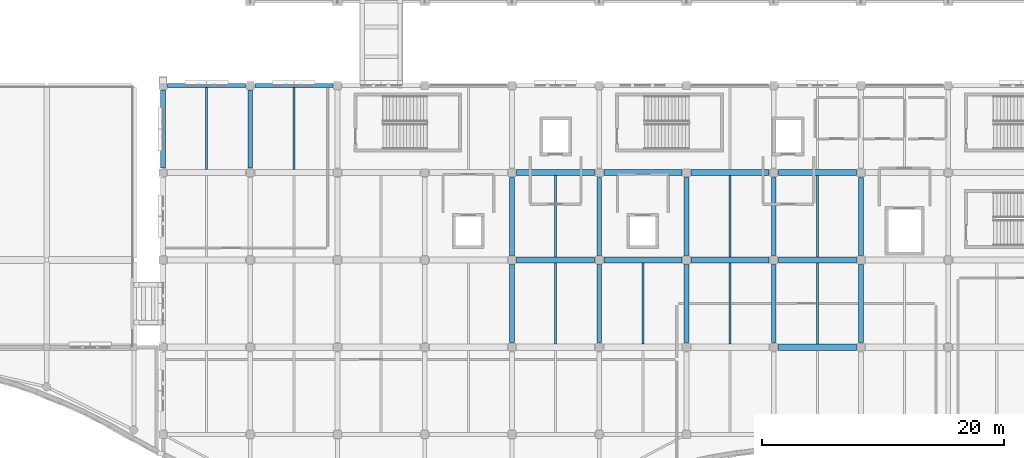
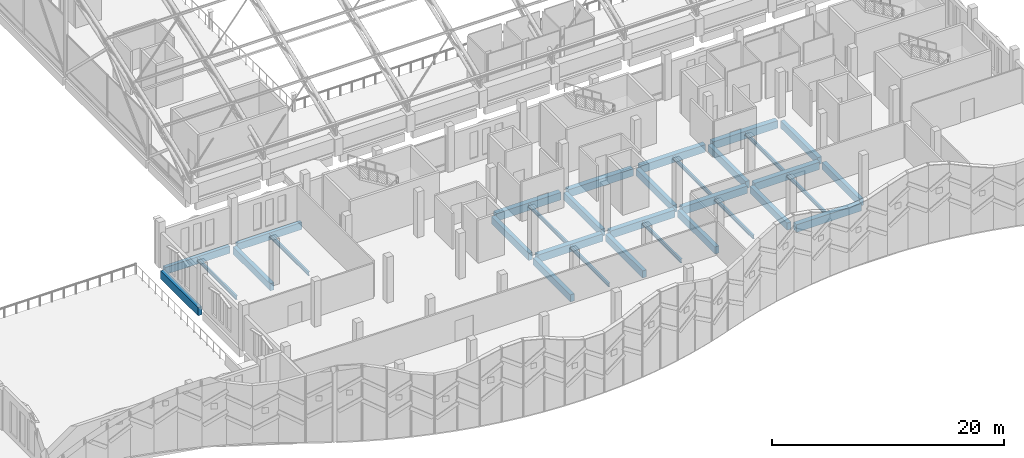
# One storey, part 23 of 116: 32 beams.
"""IFC4 building model written with IfcOpenShell, lengths in metres."""

import ifcopenshell
import ifcopenshell.guid

model = None  # the IFC model being written
_history = None  # IfcOwnerHistory: only IFC2X3 demands one
_inside = {}  # id of a spatial element -> (the spatial element, [elements in it])
_under = {}  # id of a project, library or spatial element -> (it, [spatial elements below it])
_declared = {}  # id of a project -> (the project, [libraries it declares])
_typed = {}  # id of a type object -> (the type object, [elements of that type])
_made_of = {}  # id of a material, layer set ... -> (it, [elements and type objects made of it])


def new_model(schema):
    """Start an empty IFC model of exactly this schema.

    Asked for "IFC4X3", IfcOpenShell would pick the latest addendum, in which some entities
    have other attributes; the version numbers below select the first issue.
    IFC2X3 requires an IfcOwnerHistory on every rooted entity: one is made here for all.
    """
    global model, _history
    if schema == "IFC4X3":
        model = ifcopenshell.file(schema_version=(4, 3, 0, 0))
    else:
        model = ifcopenshell.file(schema=schema)
    _inside.clear()
    _under.clear()
    _declared.clear()
    _typed.clear()
    _made_of.clear()
    _history = None
    if model.schema == "IFC2X3":
        org = make("IfcOrganization", Name="unknown")
        user = make(
            "IfcPersonAndOrganization",
            ThePerson=make("IfcPerson", FamilyName="unknown"),
            TheOrganization=org,
        )
        app = make(
            "IfcApplication",
            ApplicationDeveloper=org,
            Version="unknown",
            ApplicationFullName="unknown",
            ApplicationIdentifier="unknown",
        )
        _history = make(
            "IfcOwnerHistory",
            OwningUser=user,
            OwningApplication=app,
            ChangeAction="ADDED",
            CreationDate=0,
        )
    return model


def make(cls, **values):
    """One entity of the class cls with the attributes given. An attribute that is None is left unset."""
    return model.create_entity(
        cls, **{name: value for name, value in values.items() if value is not None}
    )


def rooted(cls, **values):
    """An entity with a GlobalId (a new one), such as an element, a storey or a relation."""
    return make(cls, GlobalId=ifcopenshell.guid.new(), OwnerHistory=_history, **values)


def si_unit(unit_type, name, prefix=None):
    """IfcSIUnit, for example si_unit("LENGTHUNIT", "METRE", prefix="MILLI")."""
    return make("IfcSIUnit", UnitType=unit_type, Prefix=prefix, Name=name)


def assignment(units):
    """IfcUnitAssignment: the units of a project."""
    return None if units is None else make("IfcUnitAssignment", Units=units)


def point(xyz):
    """IfcCartesianPoint."""
    return None if xyz is None else make("IfcCartesianPoint", Coordinates=xyz)


def direction(xyz):
    """IfcDirection."""
    return None if xyz is None else make("IfcDirection", DirectionRatios=xyz)


def frame(location, z_axis=None, x_axis=None):
    """IfcAxis2Placement3D, a coordinate frame: its origin and axes. An axis left out is left unset."""
    return make(
        "IfcAxis2Placement3D",
        Location=point(location),
        Axis=direction(z_axis),
        RefDirection=direction(x_axis),
    )


def frame_2d(location, x_axis=None):
    """IfcAxis2Placement2D, a coordinate frame in the plane: its origin and x axis."""
    return make(
        "IfcAxis2Placement2D", Location=point(location), RefDirection=direction(x_axis)
    )


def origin():
    """The frame at (0, 0, 0) with its axes left unset."""
    return frame((0.0, 0.0, 0.0))


def origin_2d():
    """The frame at (0, 0) in the plane with its x axis left unset."""
    return frame_2d((0.0, 0.0))


def place(relative_to, where):
    """IfcLocalPlacement: puts the frame where relative to a parent placement (None: the world)."""
    return make(
        "IfcLocalPlacement", PlacementRelTo=relative_to, RelativePlacement=where
    )


def context(
    kind, dimensions, precision=None, world=None, true_north=None, identifier=None
):
    """IfcGeometricRepresentationContext, for example the 3D "Model" context."""
    return make(
        "IfcGeometricRepresentationContext",
        ContextIdentifier=identifier,
        ContextType=kind,
        CoordinateSpaceDimension=dimensions,
        Precision=precision,
        WorldCoordinateSystem=world,
        TrueNorth=true_north,
    )


def subcontext(parent, identifier, kind, view, scale=None):
    """IfcGeometricRepresentationSubContext, for example "Body" below "Model"."""
    return make(
        "IfcGeometricRepresentationSubContext",
        ContextIdentifier=identifier,
        ContextType=kind,
        ParentContext=parent,
        TargetScale=scale,
        TargetView=view,
    )


def project(units=None, contexts=None):
    """IfcProject with its units and contexts."""
    return rooted(
        "IfcProject",
        Name="project",
        RepresentationContexts=contexts,
        UnitsInContext=assignment(units),
    )


def spatial(cls, under=None, at=None, **own):
    """A site, building, storey or space (cls), placed at a placement, below another one or the project."""
    s = rooted(cls, ObjectPlacement=at, **own)
    if under is not None:
        _under.setdefault(under.id(), (under, []))[1].append(s)
    return s


def profile(cls, at=None, kind="AREA", **sizes):
    """A parametric profile (cls). Its sizes go by their IFC names, for example OverallWidth=200.0."""
    return make(cls, ProfileType=kind, Position=at, **sizes)


def rectangle(**sizes):
    """IfcRectangleProfileDef."""
    return profile("IfcRectangleProfileDef", **sizes)


def i_section(**sizes):
    """IfcIShapeProfileDef."""
    return profile("IfcIShapeProfileDef", **sizes)


def extrude(swept, where, along, depth):
    """IfcExtrudedAreaSolid: the profile swept, set in the frame where, extruded along a direction by depth."""
    return make(
        "IfcExtrudedAreaSolid",
        SweptArea=swept,
        Position=where,
        ExtrudedDirection=direction(along),
        Depth=depth,
    )


def shape(context_of_items, identifier, shape_type, items):
    """IfcShapeRepresentation: the items that make up one representation, for example the "Body"."""
    return make(
        "IfcShapeRepresentation",
        ContextOfItems=context_of_items,
        RepresentationIdentifier=identifier,
        RepresentationType=shape_type,
        Items=items,
    )


def material(Name=None, Category=None):
    """IfcMaterial."""
    return make("IfcMaterial", Name=Name, Category=Category)


def material_profile(
    of_material, cross_section, Name=None, Category=None, Priority=None
):
    """IfcMaterialProfile: a cross section and its material."""
    return make(
        "IfcMaterialProfile",
        Name=Name,
        Material=of_material,
        Profile=cross_section,
        Priority=Priority,
        Category=Category,
    )


def profile_set(profiles, Name=None, composite=None):
    """IfcMaterialProfileSet."""
    return make(
        "IfcMaterialProfileSet",
        Name=Name,
        MaterialProfiles=profiles,
        CompositeProfile=composite,
    )


def made_of(thing, what):
    """Note that an element or type object is made of a material, layer set ...; save() writes the relation."""
    if what is not None:
        _made_of.setdefault(what.id(), (what, []))[1].append(thing)
    return thing


def type_object(cls, material=None, **own):
    """A type object (cls), such as IfcWallType, which elements share."""
    return made_of(rooted(cls, **own), material)


def element(
    cls,
    number,
    at=None,
    inside=None,
    cuts=None,
    type_object=None,
    material=None,
    context=None,
    identifier="Body",
    shape_type=None,
    held_by="IfcProductDefinitionShape",
    body=None,
    shapes=None,
    **own,
):
    """One element of the class cls, such as IfcWall. Its Tag is "e" and its number.

    at: its placement. inside: the storey or other place that contains it. cuts: it is an
    opening in that element (IfcRelVoidsElement). A single representation is given by context,
    identifier, shape_type and body (its items); several are given by shapes. held_by: the class
    of the entity that holds the representations. save() writes the other relations.
    """
    e = rooted(cls, Tag="e%d" % number, ObjectPlacement=at, **own)
    if body is not None:
        shapes = [shape(context, identifier, shape_type, body)]
    if shapes is not None:
        e.Representation = make(held_by, Representations=shapes)
    if inside is not None:
        _inside.setdefault(inside.id(), (inside, []))[1].append(e)
    if cuts is not None:
        rooted(
            "IfcRelVoidsElement", RelatingBuildingElement=cuts, RelatedOpeningElement=e
        )
    if type_object is not None:
        _typed.setdefault(type_object.id(), (type_object, []))[1].append(e)
    return made_of(e, material)


def aggregate(whole, parts):
    """IfcRelAggregates: a whole, such as a stair, and the parts it consists of."""
    return rooted("IfcRelAggregates", RelatingObject=whole, RelatedObjects=parts)


def save(model, path):
    """Write the relations noted so far, then the file.

    IfcRelAggregates (storeys below a building ...), IfcRelContainedInSpatialStructure (elements
    in a storey), IfcRelDefinesByType, IfcRelAssociatesMaterial and IfcRelDeclares: one each for
    every whole, place, type object, material and project.
    """
    for whole, parts in _under.values():
        aggregate(whole, parts)
    for where, things in _inside.values():
        rooted(
            "IfcRelContainedInSpatialStructure",
            RelatedElements=things,
            RelatingStructure=where,
        )
    for kind, things in _typed.values():
        rooted("IfcRelDefinesByType", RelatedObjects=things, RelatingType=kind)
    for what, things in _made_of.values():
        rooted("IfcRelAssociatesMaterial", RelatedObjects=things, RelatingMaterial=what)
    for by, libraries in _declared.values():
        rooted("IfcRelDeclares", RelatingContext=by, RelatedDefinitions=libraries)
    model.write(path)


model = new_model("IFC4")

# Units and contexts
model_context = context("Model", 3, precision=1e-05, world=origin(), true_north=direction((0.0, 1.0)))
body_context = subcontext(model_context, "Body", "Model", "MODEL_VIEW")
ifc_project = project(units=[si_unit("LENGTHUNIT", "METRE"), si_unit("AREAUNIT", "SQUARE_METRE"), si_unit("VOLUMEUNIT", "CUBIC_METRE"), si_unit("PLANEANGLEUNIT", "RADIAN"), si_unit("MASSUNIT", "GRAM", prefix="KILO")], contexts=[model_context])

# Site, building, storey
site_placement = place(None, origin())
site = spatial("IfcSite", under=ifc_project, at=site_placement, CompositionType="ELEMENT")
building_placement = place(site_placement, origin())
building = spatial("IfcBuilding", under=site, at=building_placement, Name="Cendralis Lancet Convention Centre", CompositionType="ELEMENT")
storey_placement = place(building_placement, frame((0.0, 0.0, 15.0)))
storey = spatial("IfcBuildingStorey", under=building, at=storey_placement, Name="L03", CompositionType="ELEMENT", Elevation=15.0)

# Beams
ifc_material_1 = material(Name="Concrete G35 (C35/45)", Category="concrete")
ifc_material_profile_1 = material_profile(ifc_material_1, rectangle(XDim=0.5, YDim=0.800048828125, at=origin_2d()), Name="RCB 500x800")
ifc_profile_set_1 = profile_set([ifc_material_profile_1], Name="Concrete G35 (C35/45)")
beam_type_1 = type_object("IfcBeamType", Name="STR-BM-BG09", PredefinedType="BEAM", material=ifc_profile_set_1)
beam_1_placement = place(storey_placement, frame((182.77490234375, 14.39990234375, -0.659912109375), z_axis=(1.0, 0.0, 0.0), x_axis=(0.0, 1.0, 0.0)))
element("IfcBeam", 1, at=beam_1_placement, inside=storey, type_object=beam_type_1, Name="L03 Beam BG09 #0396", PredefinedType="BEAM", context=body_context, shape_type="SweptSolid", body=[
    extrude(rectangle(XDim=0.5, YDim=0.800048828125, at=origin_2d()), origin(), (0.0, 0.0, 1.0), 6.4501953125),
])
for number, where, z_axis, x_axis, name in (
    (2, (161.175048828125, 21.60009765625, -0.659912109375), (1.0, 0.0, 0.0), (0.0, 1.0, 0.0), "L03 Beam BG09 #0403"),
    (3, (168.375, 21.60009765625, -0.659912109375), (1.0, 0.0, 0.0), (0.0, 1.0, 0.0), "L03 Beam BG09 #0404"),
    (4, (175.574951171875, 21.60009765625, -0.659912109375), (1.0, 0.0, 0.0), (0.0, 1.0, 0.0), "L03 Beam BG09 #0405"),
):
    element("IfcBeam", number, at=place(storey_placement, frame(where, z_axis=z_axis, x_axis=x_axis)), inside=storey, type_object=beam_type_1, Name=name, PredefinedType="BEAM", context=body_context, shape_type="SweptSolid", body=[
        extrude(rectangle(XDim=0.5, YDim=0.800048828125, at=origin_2d()), origin(), (0.0, 0.0, 1.0), 6.449951171875),
    ])
beam_2_placement = place(storey_placement, frame((182.77490234375, 21.60009765625, -0.659912109375), z_axis=(1.0, 0.0, 0.0), x_axis=(0.0, 1.0, 0.0)))
element("IfcBeam", 5, at=beam_2_placement, inside=storey, type_object=beam_type_1, Name="L03 Beam BG09 #0406", PredefinedType="BEAM", context=body_context, shape_type="SweptSolid", body=[
    extrude(rectangle(XDim=0.5, YDim=0.800048828125, at=origin_2d()), origin(), (0.0, 0.0, 1.0), 6.4501953125),
])
for number, where, z_axis, x_axis, name in (
    (6, (161.175048828125, 28.800048828125, -0.659912109375), (1.0, 0.0, 0.0), (0.0, 1.0, 0.0), "L03 Beam BG09 #0413"),
    (7, (168.375, 28.800048828125, -0.659912109375), (1.0, 0.0, 0.0), (0.0, 1.0, 0.0), "L03 Beam BG09 #0414"),
    (8, (175.574951171875, 28.800048828125, -0.659912109375), (1.0, 0.0, 0.0), (0.0, 1.0, 0.0), "L03 Beam BG09 #0415"),
):
    element("IfcBeam", number, at=place(storey_placement, frame(where, z_axis=z_axis, x_axis=x_axis)), inside=storey, type_object=beam_type_1, Name=name, PredefinedType="BEAM", context=body_context, shape_type="SweptSolid", body=[
        extrude(rectangle(XDim=0.5, YDim=0.800048828125, at=origin_2d()), origin(), (0.0, 0.0, 1.0), 6.449951171875),
    ])
beam_3_placement = place(storey_placement, frame((182.77490234375, 28.800048828125, -0.659912109375), z_axis=(1.0, 0.0, 0.0), x_axis=(0.0, 1.0, 0.0)))
element("IfcBeam", 9, at=beam_3_placement, inside=storey, type_object=beam_type_1, Name="L03 Beam BG09 #0416", PredefinedType="BEAM", context=body_context, shape_type="SweptSolid", body=[
    extrude(rectangle(XDim=0.5, YDim=0.800048828125, at=origin_2d()), origin(), (0.0, 0.0, 1.0), 6.4501953125),
])
ifc_material_profile_2 = material_profile(ifc_material_1, rectangle(XDim=0.39990234375, YDim=0.75, at=origin_2d()), Name="RCB 400x750")
ifc_profile_set_2 = profile_set([ifc_material_profile_2], Name="Concrete G35 (C35/45)")
beam_type_2 = type_object("IfcBeamType", Name="STR-BM-BG12", PredefinedType="BEAM", material=ifc_profile_set_2)
beam_4_placement = place(storey_placement, frame((139.199951171875, 29.175048828125, -0.635009765625), z_axis=(0.0, 1.0, 0.0), x_axis=(-1.0, 0.0, 0.0)))
element("IfcBeam", 10, at=beam_4_placement, inside=storey, type_object=beam_type_2, Name="L03 Beam BG12 #0436", PredefinedType="BEAM", context=body_context, shape_type="SweptSolid", body=[
    extrude(rectangle(XDim=0.39990234375, YDim=0.75, at=origin_2d()), origin(), (0.0, 0.0, 1.0), 6.449951171875),
])
beam_5_placement = place(storey_placement, frame((160.800048828125, 14.77490234375, -0.635009765625), z_axis=(0.0, 1.0, 0.0), x_axis=(-1.0, 0.0, 0.0)))
element("IfcBeam", 11, at=beam_5_placement, inside=storey, type_object=beam_type_2, Name="L03 Beam BG12 #0445", PredefinedType="BEAM", context=body_context, shape_type="SweptSolid", body=[
    extrude(rectangle(XDim=0.39990234375, YDim=0.75, at=origin_2d()), origin(), (0.0, 0.0, 1.0), 6.4501953125),
])
beam_6_placement = place(storey_placement, frame((160.800048828125, 21.97509765625, -0.635009765625), z_axis=(0.0, 1.0, 0.0), x_axis=(-1.0, 0.0, 0.0)))
element("IfcBeam", 12, at=beam_6_placement, inside=storey, type_object=beam_type_2, Name="L03 Beam BG12 #0446", PredefinedType="BEAM", context=body_context, shape_type="SweptSolid", body=[
    extrude(rectangle(XDim=0.39990234375, YDim=0.75, at=origin_2d()), origin(), (0.0, 0.0, 1.0), 6.449951171875),
])
beam_7_placement = place(storey_placement, frame((168.0, 14.77490234375, -0.635009765625), z_axis=(0.0, 1.0, 0.0), x_axis=(-1.0, 0.0, 0.0)))
element("IfcBeam", 13, at=beam_7_placement, inside=storey, type_object=beam_type_2, Name="L03 Beam BG12 #0449", PredefinedType="BEAM", context=body_context, shape_type="SweptSolid", body=[
    extrude(rectangle(XDim=0.39990234375, YDim=0.75, at=origin_2d()), origin(), (0.0, 0.0, 1.0), 6.4501953125),
])
beam_8_placement = place(storey_placement, frame((168.0, 21.97509765625, -0.635009765625), z_axis=(0.0, 1.0, 0.0), x_axis=(-1.0, 0.0, 0.0)))
element("IfcBeam", 14, at=beam_8_placement, inside=storey, type_object=beam_type_2, Name="L03 Beam BG12 #0450", PredefinedType="BEAM", context=body_context, shape_type="SweptSolid", body=[
    extrude(rectangle(XDim=0.39990234375, YDim=0.75, at=origin_2d()), origin(), (0.0, 0.0, 1.0), 6.449951171875),
])
beam_9_placement = place(storey_placement, frame((175.199951171875, 14.77490234375, -0.635009765625), z_axis=(0.0, 1.0, 0.0), x_axis=(-1.0, 0.0, 0.0)))
element("IfcBeam", 15, at=beam_9_placement, inside=storey, type_object=beam_type_2, Name="L03 Beam BG12 #0453", PredefinedType="BEAM", context=body_context, shape_type="SweptSolid", body=[
    extrude(rectangle(XDim=0.39990234375, YDim=0.75, at=origin_2d()), origin(), (0.0, 0.0, 1.0), 6.4501953125),
])
beam_10_placement = place(storey_placement, frame((175.199951171875, 21.97509765625, -0.635009765625), z_axis=(0.0, 1.0, 0.0), x_axis=(-1.0, 0.0, 0.0)))
element("IfcBeam", 16, at=beam_10_placement, inside=storey, type_object=beam_type_2, Name="L03 Beam BG12 #0454", PredefinedType="BEAM", context=body_context, shape_type="SweptSolid", body=[
    extrude(rectangle(XDim=0.39990234375, YDim=0.75, at=origin_2d()), origin(), (0.0, 0.0, 1.0), 6.449951171875),
])
beam_11_placement = place(storey_placement, frame((182.39990234375, 14.77490234375, -0.635009765625), z_axis=(0.0, 1.0, 0.0), x_axis=(-1.0, 0.0, 0.0)))
element("IfcBeam", 17, at=beam_11_placement, inside=storey, type_object=beam_type_2, Name="L03 Beam BG12 #0456", PredefinedType="BEAM", context=body_context, shape_type="SweptSolid", body=[
    extrude(rectangle(XDim=0.39990234375, YDim=0.75, at=origin_2d()), origin(), (0.0, 0.0, 1.0), 6.4501953125),
])
beam_12_placement = place(storey_placement, frame((182.39990234375, 21.97509765625, -0.635009765625), z_axis=(0.0, 1.0, 0.0), x_axis=(-1.0, 0.0, 0.0)))
element("IfcBeam", 18, at=beam_12_placement, inside=storey, type_object=beam_type_2, Name="L03 Beam BG12 #0457", PredefinedType="BEAM", context=body_context, shape_type="SweptSolid", body=[
    extrude(rectangle(XDim=0.39990234375, YDim=0.75, at=origin_2d()), origin(), (0.0, 0.0, 1.0), 6.449951171875),
])
beam_13_placement = place(storey_placement, frame((189.60009765625, 14.77490234375, -0.635009765625), z_axis=(0.0, 1.0, 0.0), x_axis=(-1.0, 0.0, 0.0)))
element("IfcBeam", 19, at=beam_13_placement, inside=storey, type_object=beam_type_2, Name="L03 Beam BG12 #0460", PredefinedType="BEAM", context=body_context, shape_type="SweptSolid", body=[
    extrude(rectangle(XDim=0.39990234375, YDim=0.75, at=origin_2d()), origin(), (0.0, 0.0, 1.0), 6.4501953125),
])
beam_14_placement = place(storey_placement, frame((189.60009765625, 21.97509765625, -0.635009765625), z_axis=(0.0, 1.0, 0.0), x_axis=(-1.0, 0.0, 0.0)))
element("IfcBeam", 20, at=beam_14_placement, inside=storey, type_object=beam_type_2, Name="L03 Beam BG12 #0461", PredefinedType="BEAM", context=body_context, shape_type="SweptSolid", body=[
    extrude(rectangle(XDim=0.39990234375, YDim=0.75, at=origin_2d()), origin(), (0.0, 0.0, 1.0), 6.449951171875),
])
ifc_material_2 = material(Name="Steel S355", Category="steel")
ifc_material_profile_3 = material_profile(ifc_material_2, i_section(OverallWidth=0.179931640625, OverallDepth=0.39990234375, WebThickness=0.008544921875, FlangeThickness=0.013427734375, FilletRadius=0.02099609375, at=origin_2d()), Name="IPE 400")
ifc_profile_set_3 = profile_set([ifc_material_profile_3], Name="Steel S355")
beam_type_3 = type_object("IfcBeamType", Name="STR-JS-BJ08", PredefinedType="JOIST", material=ifc_profile_set_3)
for number, where, z_axis, x_axis, name in (
    (21, (135.60009765625, 29.050048828125, -0.4599609375), (0.0, 1.0, 0.0), (-1.0, 0.0, 0.0), "L03 Beam BJ08 #0474"),
    (22, (142.800048828125, 29.050048828125, -0.4599609375), (0.0, 1.0, 0.0), (-1.0, 0.0, 0.0), "L03 Beam BJ08 #0478"),
):
    element("IfcBeam", number, at=place(storey_placement, frame(where, z_axis=z_axis, x_axis=x_axis)), inside=storey, type_object=beam_type_3, Name=name, PredefinedType="JOIST", context=body_context, shape_type="SweptSolid", body=[
        extrude(i_section(OverallWidth=0.179931640625, OverallDepth=0.39990234375, WebThickness=0.008544921875, FlangeThickness=0.013427734375, FilletRadius=0.02099609375, at=origin_2d()), origin(), (0.0, 0.0, 1.0), 6.77490234375),
    ])
beam_15_placement = place(storey_placement, frame((164.39990234375, 14.64990234375, -0.4599609375), z_axis=(0.0, 1.0, 0.0), x_axis=(-1.0, 0.0, 0.0)))
element("IfcBeam", 23, at=beam_15_placement, inside=storey, type_object=beam_type_3, Name="L03 Beam BJ08 #0486", PredefinedType="JOIST", context=body_context, shape_type="SweptSolid", body=[
    extrude(i_section(OverallWidth=0.179931640625, OverallDepth=0.39990234375, WebThickness=0.008544921875, FlangeThickness=0.013427734375, FilletRadius=0.02099609375, at=origin_2d()), origin(), (0.0, 0.0, 1.0), 6.7001953125),
])
beam_16_placement = place(storey_placement, frame((164.39990234375, 21.85009765625, -0.4599609375), z_axis=(0.0, 1.0, 0.0), x_axis=(-1.0, 0.0, 0.0)))
element("IfcBeam", 24, at=beam_16_placement, inside=storey, type_object=beam_type_3, Name="L03 Beam BJ08 #0487", PredefinedType="JOIST", context=body_context, shape_type="SweptSolid", body=[
    extrude(i_section(OverallWidth=0.179931640625, OverallDepth=0.39990234375, WebThickness=0.008544921875, FlangeThickness=0.013427734375, FilletRadius=0.02099609375, at=origin_2d()), origin(), (0.0, 0.0, 1.0), 6.699951171875),
])
for number, where, z_axis, x_axis, name in (
    (25, (171.60009765625, 14.64990234375, -0.4599609375), (0.0, 1.0, 0.0), (-1.0, 0.0, 0.0), "L03 Beam BJ08 #0489"),
    (26, (178.800048828125, 14.64990234375, -0.4599609375), (0.0, 1.0, 0.0), (-1.0, 0.0, 0.0), "L03 Beam BJ08 #0491"),
):
    element("IfcBeam", number, at=place(storey_placement, frame(where, z_axis=z_axis, x_axis=x_axis)), inside=storey, type_object=beam_type_3, Name=name, PredefinedType="JOIST", context=body_context, shape_type="SweptSolid", body=[
        extrude(i_section(OverallWidth=0.179931640625, OverallDepth=0.39990234375, WebThickness=0.008544921875, FlangeThickness=0.013427734375, FilletRadius=0.02099609375, at=origin_2d()), origin(), (0.0, 0.0, 1.0), 6.7001953125),
    ])
beam_17_placement = place(storey_placement, frame((178.800048828125, 21.85009765625, -0.4599609375), z_axis=(0.0, 1.0, 0.0), x_axis=(-1.0, 0.0, 0.0)))
element("IfcBeam", 27, at=beam_17_placement, inside=storey, type_object=beam_type_3, Name="L03 Beam BJ08 #0492", PredefinedType="JOIST", context=body_context, shape_type="SweptSolid", body=[
    extrude(i_section(OverallWidth=0.179931640625, OverallDepth=0.39990234375, WebThickness=0.008544921875, FlangeThickness=0.013427734375, FilletRadius=0.02099609375, at=origin_2d()), origin(), (0.0, 0.0, 1.0), 6.699951171875),
])
beam_18_placement = place(storey_placement, frame((186.0, 14.64990234375, -0.4599609375), z_axis=(0.0, 1.0, 0.0), x_axis=(-1.0, 0.0, 0.0)))
element("IfcBeam", 28, at=beam_18_placement, inside=storey, type_object=beam_type_3, Name="L03 Beam BJ08 #0495", PredefinedType="JOIST", context=body_context, shape_type="SweptSolid", body=[
    extrude(i_section(OverallWidth=0.179931640625, OverallDepth=0.39990234375, WebThickness=0.008544921875, FlangeThickness=0.013427734375, FilletRadius=0.02099609375, at=origin_2d()), origin(), (0.0, 0.0, 1.0), 6.7001953125),
])
beam_19_placement = place(storey_placement, frame((186.0, 21.85009765625, -0.4599609375), z_axis=(0.0, 1.0, 0.0), x_axis=(-1.0, 0.0, 0.0)))
element("IfcBeam", 29, at=beam_19_placement, inside=storey, type_object=beam_type_3, Name="L03 Beam BJ08 #0496", PredefinedType="JOIST", context=body_context, shape_type="SweptSolid", body=[
    extrude(i_section(OverallWidth=0.179931640625, OverallDepth=0.39990234375, WebThickness=0.008544921875, FlangeThickness=0.013427734375, FilletRadius=0.02099609375, at=origin_2d()), origin(), (0.0, 0.0, 1.0), 6.699951171875),
])
ifc_material_3 = material(Name="Concrete G40 (C40/50)", Category="concrete")
ifc_material_profile_4 = material_profile(ifc_material_3, rectangle(XDim=0.35009765625, YDim=0.75, at=origin_2d()), Name="RCB 350x750")
ifc_profile_set_4 = profile_set([ifc_material_profile_4], Name="Concrete G40 (C40/50)")
beam_type_4 = type_object("IfcBeamType", Name="STR-SP-SP01", PredefinedType="SPANDREL", material=ifc_profile_set_4)
for number, where, z_axis, x_axis, name in (
    (30, (132.375, 36.0, -0.635009765625), (1.0, 0.0, 0.0), (0.0, 1.0, 0.0), "L03 Beam SP01 #0419"),
    (31, (139.574951171875, 36.0, -0.635009765625), (1.0, 0.0, 0.0), (0.0, 1.0, 0.0), "L03 Beam SP01 #0420"),
):
    element("IfcBeam", number, at=place(storey_placement, frame(where, z_axis=z_axis, x_axis=x_axis)), inside=storey, type_object=beam_type_4, Name=name, PredefinedType="SPANDREL", context=body_context, shape_type="SweptSolid", body=[
        extrude(rectangle(XDim=0.35009765625, YDim=0.75, at=origin_2d()), origin(), (0.0, 0.0, 1.0), 6.449951171875),
    ])
ifc_material_profile_5 = material_profile(ifc_material_3, rectangle(XDim=0.39990234375, YDim=0.85009765625, at=origin_2d()), Name="RCB 400x850")
ifc_profile_set_5 = profile_set([ifc_material_profile_5], Name="Concrete G40 (C40/50)")
beam_type_5 = type_object("IfcBeamType", Name="STR-SP-SP02", PredefinedType="SPANDREL", material=ifc_profile_set_5)
beam_20_placement = place(storey_placement, frame((132.0, 29.175048828125, -0.68505859375), z_axis=(0.0, 1.0, 0.0), x_axis=(-1.0, 0.0, 0.0)))
element("IfcBeam", 32, at=beam_20_placement, inside=storey, type_object=beam_type_5, Name="L03 Beam SP02 #0432", PredefinedType="SPANDREL", context=body_context, shape_type="SweptSolid", body=[
    extrude(rectangle(XDim=0.39990234375, YDim=0.85009765625, at=origin_2d()), origin(), (0.0, 0.0, 1.0), 6.449951171875),
])

save(model, "model.ifc")
